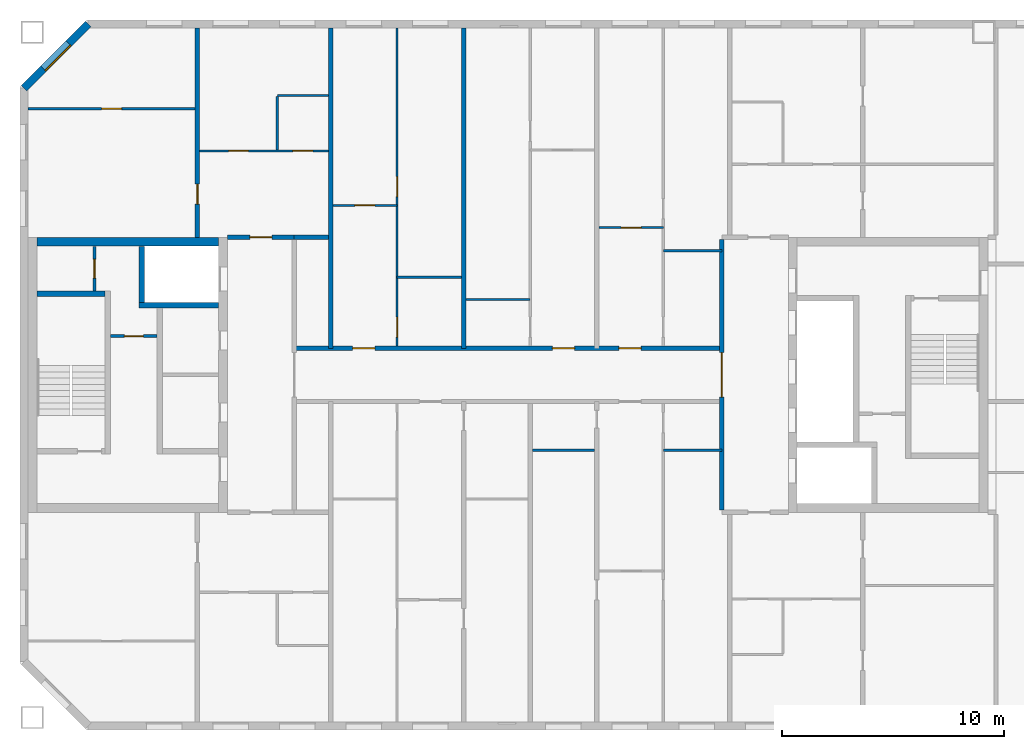
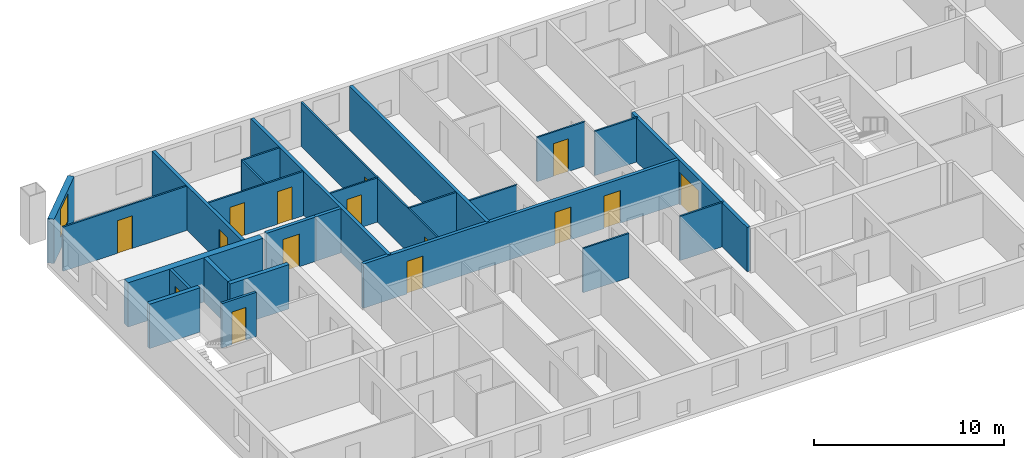
# One storey, part 6 of 19: 26 walls, 15 doors, 1 window, 16 openings.
"""IFC4 building model written with IfcOpenShell, lengths in metres."""

from ifc_helpers import new_model, si_unit, direction, frame, frame_2d, origin, place, context, subcontext, project, spatial, rectangle, extrude, material, layer, layer_set, type_object, element, fill, save


model = new_model("IFC4")

# Units and contexts
model_context = context("Model", 3, precision=1e-05, world=origin(), true_north=direction((0.0, 1.0)))
body_context = subcontext(model_context, "Body", "Model", "MODEL_VIEW")
ifc_project = project(units=[si_unit("LENGTHUNIT", "METRE"), si_unit("AREAUNIT", "SQUARE_METRE"), si_unit("VOLUMEUNIT", "CUBIC_METRE"), si_unit("PLANEANGLEUNIT", "RADIAN"), si_unit("MASSUNIT", "GRAM", prefix="KILO")], contexts=[model_context])

# Site, building, storey
site_placement = place(None, origin())
site = spatial("IfcSite", under=ifc_project, at=site_placement, CompositionType="ELEMENT")
building_placement = place(site_placement, origin())
building = spatial("IfcBuilding", under=site, at=building_placement, Name="Tuart Gate Housing", CompositionType="ELEMENT")
storey_placement = place(building_placement, frame((0.0, 0.0, 233.800048828125)))
storey = spatial("IfcBuildingStorey", under=building, at=storey_placement, Name="L66", CompositionType="ELEMENT", Elevation=233.800048828125)

# Wall, opening, window
ifc_material_1 = material(Name="Brick", Category="masonry")
ifc_layer_1 = layer(ifc_material_1, 0.360107421875)
ifc_layer_set_1 = layer_set([ifc_layer_1], Name="Brick pier and spandrel wall 360")
wall_type_1 = type_object("IfcWallType", Name="Brick pier and spandrel wall 360", PredefinedType="STANDARD", material=ifc_layer_set_1)
wall_1_placement = place(storey_placement, frame((35.07470703125, 85.820068359375, 0.0), z_axis=(0.0, 0.0, 1.0), x_axis=(-0.707106781187, -0.707106781187, 0.0)))
wall_1 = element("IfcWall", 1, at=wall_1_placement, inside=storey, type_object=wall_type_1, Name="External wall BLK-NW L66", PredefinedType="STANDARD", context=body_context, shape_type="SweptSolid", body=[
    extrude(rectangle(XDim=4.09375, YDim=0.360107421875, at=frame_2d((2.046875, 0.0))), origin(), (0.0, 0.0, 1.0), 2.849853515625),
])
opening_1_placement = place(wall_1_placement, frame((1.2470703125, 0.0, 0.800048828125)))
opening_1 = element("IfcOpeningElement", 2, at=opening_1_placement, cuts=wall_1, Name="Opening W1", PredefinedType="OPENING", context=body_context, shape_type="SweptSolid", body=[
    extrude(rectangle(XDim=1.60009765625, YDim=1.800048828125, at=frame_2d((0.800048828125, 0.89990234375))), frame((0.0, 0.18994140625, 0.0), z_axis=(0.0, -1.0, 0.0), x_axis=(1.0, 0.0, 0.0)), (0.0, 0.0, 1.0), 0.380126953125),
])
ifc_material_2 = material(Name="Aluminium frame with clear glass", Category="aluminium")
window_type = type_object("IfcWindowType", Name="Punched window 1600 x 1800", PartitioningType="SINGLE_PANEL", PredefinedType="WINDOW", material=ifc_material_2)
window_placement = place(opening_1_placement, origin())
window = element("IfcWindow", 3, at=window_placement, inside=storey, type_object=window_type, Name="Window W1", OverallHeight=1.800048828125, OverallWidth=1.60009765625, PartitioningType="SINGLE_PANEL", PredefinedType="WINDOW", context=body_context, shape_type="SweptSolid", body=[
    extrude(rectangle(XDim=1.60009765625, YDim=1.800048828125, at=frame_2d((0.800048828125, 0.89990234375))), frame((0.0, 0.150146484375, 0.0), z_axis=(0.0, -1.0, 0.0), x_axis=(1.0, 0.0, 0.0)), (0.0, 0.0, 1.0), 0.06005859375),
])
fill(opening_1, window)

# Wall, opening, door
ifc_material_3 = material(Name="Plasterboard partition")
ifc_layer_2 = layer(ifc_material_3, 0.14990234375)
ifc_layer_set_2 = layer_set([ifc_layer_2], Name="Core partition 150")
wall_type_2 = type_object("IfcWallType", Name="Core partition 150", PredefinedType="PARTITIONING", material=ifc_layer_set_2)
wall_2_placement = place(storey_placement, frame((38.18505859375, 71.75, 0.0), z_axis=(0.0, 0.0, 1.0), x_axis=(-1.0, 0.0, 0.0)))
wall_2 = element("IfcWall", 4, at=wall_2_placement, inside=storey, type_object=wall_type_2, Name="Core partition AK.3", PredefinedType="PARTITIONING", context=body_context, shape_type="SweptSolid", body=[
    extrude(rectangle(XDim=2.10009765625, YDim=0.14990234375, at=frame_2d((1.050048828125, 0.0))), origin(), (0.0, 0.0, 1.0), 2.849853515625),
])
opening_2_placement = place(wall_2_placement, frame((0.625, 0.0, 0.0)))
opening_2 = element("IfcOpeningElement", 5, at=opening_2_placement, cuts=wall_2, Name="Opening D2464", PredefinedType="OPENING", context=body_context, shape_type="SweptSolid", body=[
    extrude(rectangle(XDim=0.85009765625, YDim=2.10009765625, at=frame_2d((0.425048828125, 1.050048828125))), frame((0.0, 0.0849609375, 0.0), z_axis=(0.0, -1.0, 0.0), x_axis=(1.0, 0.0, 0.0)), (0.0, 0.0, 1.0), 0.169921875),
])
ifc_material_4 = material(Name="Steel fire door", Category="steel")
door_type_1 = type_object("IfcDoorType", Name="Riser door 850 x 2100 RH", OperationType="SINGLE_SWING_RIGHT", PredefinedType="DOOR", material=ifc_material_4)
door_1_placement = place(opening_2_placement, frame((0.85009765625, 0.0, 0.0), z_axis=(0.0, 0.0, 1.0), x_axis=(-1.0, 0.0, 0.0)))
door_1 = element("IfcDoor", 6, at=door_1_placement, inside=storey, type_object=door_type_1, Name="Service room door AK.E1", OperationType="SINGLE_SWING_RIGHT", OverallHeight=2.10009765625, OverallWidth=0.85009765625, PredefinedType="DOOR", context=body_context, shape_type="SweptSolid", body=[
    extrude(rectangle(XDim=0.85009765625, YDim=2.10009765625, at=frame_2d((0.425048828125, 1.050048828125))), frame((0.0, 0.025146484375, 0.0), z_axis=(0.0, -1.0, 0.0), x_axis=(1.0, 0.0, 0.0)), (0.0, 0.0, 1.0), 0.050048828125),
])
fill(opening_2, door_1)

wall_3_placement = place(storey_placement, frame((35.360107421875, 75.800048828125, 0.0), z_axis=(0.0, 0.0, 1.0), x_axis=(0.0, -1.0, 0.0)))
wall_3 = element("IfcWall", 7, at=wall_3_placement, inside=storey, type_object=wall_type_2, Name="Core partition AK.10", PredefinedType="PARTITIONING", context=body_context, shape_type="SweptSolid", body=[
    extrude(rectangle(XDim=2.025146484375, YDim=0.14990234375, at=frame_2d((1.0126953125, 0.0))), origin(), (0.0, 0.0, 1.0), 2.849853515625),
])
opening_3_placement = place(wall_3_placement, frame((0.58740234375, 0.0, 0.0)))
opening_3 = element("IfcOpeningElement", 8, at=opening_3_placement, cuts=wall_3, Name="Opening D2462", PredefinedType="OPENING", context=body_context, shape_type="SweptSolid", body=[
    extrude(rectangle(XDim=0.85009765625, YDim=2.10009765625, at=frame_2d((0.425048828125, 1.050048828125))), frame((0.0, 0.0849609375, 0.0), z_axis=(0.0, -1.0, 0.0), x_axis=(1.0, 0.0, 0.0)), (0.0, 0.0, 1.0), 0.169921875),
])
ifc_material_5 = material(Name="Steel fire door", Category="steel")
door_type_2 = type_object("IfcDoorType", Name="Service door 850 x 2100", OperationType="SINGLE_SWING_LEFT", PredefinedType="DOOR", material=ifc_material_5)
door_2_placement = place(opening_3_placement, origin())
door_2 = element("IfcDoor", 9, at=door_2_placement, inside=storey, type_object=door_type_2, Name="Service room door AK.E2", OperationType="SINGLE_SWING_LEFT", OverallHeight=2.10009765625, OverallWidth=0.85009765625, PredefinedType="DOOR", context=body_context, shape_type="SweptSolid", body=[
    extrude(rectangle(XDim=0.85009765625, YDim=2.10009765625, at=frame_2d((0.425048828125, 1.050048828125))), frame((0.0, 0.02490234375, 0.0), z_axis=(0.0, -1.0, 0.0), x_axis=(1.0, 0.0, 0.0)), (0.0, 0.0, 1.0), 0.050048828125),
])
fill(opening_3, door_2)

# Walls
ifc_material_6 = material(Name="Concrete C40", Category="concrete")
ifc_layer_3 = layer(ifc_material_6, 0.25)
ifc_layer_set_3 = layer_set([ifc_layer_3], Name="Core wall 250 C40")
wall_type_3 = type_object("IfcWallType", Name="Core wall 250 C40", PredefinedType="SHEAR", material=ifc_layer_set_3)
wall_4_placement = place(storey_placement, frame((35.8349609375, 73.64990234375, 0.0), z_axis=(0.0, 0.0, 1.0), x_axis=(-1.0, 0.0, 0.0)))
element("IfcWall", 10, at=wall_4_placement, inside=storey, type_object=wall_type_3, Name="Core wall AK.1", PredefinedType="SHEAR", context=body_context, shape_type="SweptSolid", body=[
    extrude(rectangle(XDim=3.074951171875, YDim=0.25, at=frame_2d((1.53759765625, 0.0))), origin(), (0.0, 0.0, 1.0), 2.849853515625),
])
wall_5_placement = place(storey_placement, frame((40.9599609375, 73.14990234375, 0.0), z_axis=(0.0, 0.0, 1.0), x_axis=(-1.0, 0.0, 0.0)))
element("IfcWall", 11, at=wall_5_placement, inside=storey, type_object=wall_type_3, Name="Core wall AK.2", PredefinedType="SHEAR", context=body_context, shape_type="SweptSolid", body=[
    extrude(rectangle(XDim=3.594970703125, YDim=0.25, at=frame_2d((1.79736328125, 0.0))), origin(), (0.0, 0.0, 1.0), 2.849853515625),
])
wall_6_placement = place(storey_placement, frame((37.489990234375, 75.800048828125, 0.0), z_axis=(0.0, 0.0, 1.0), x_axis=(0.0, -1.0, 0.0)))
element("IfcWall", 12, at=wall_6_placement, inside=storey, type_object=wall_type_3, Name="Core wall AK.8", PredefinedType="SHEAR", context=body_context, shape_type="SweptSolid", body=[
    extrude(rectangle(XDim=2.525146484375, YDim=0.25, at=frame_2d((1.2626953125, 0.0))), origin(), (0.0, 0.0, 1.0), 2.849853515625),
])
ifc_material_7 = material(Name="Concrete C40", Category="concrete")
ifc_layer_4 = layer(ifc_material_7, 0.39990234375)
ifc_layer_set_4 = layer_set([ifc_layer_4], Name="Core wall 400 C40")
wall_type_4 = type_object("IfcWallType", Name="Core wall 400 C40", PredefinedType="SHEAR", material=ifc_layer_set_4)
wall_7_placement = place(storey_placement, frame((40.9599609375, 76.0, 0.0), z_axis=(0.0, 0.0, 1.0), x_axis=(-1.0, 0.0, 0.0)))
element("IfcWall", 13, at=wall_7_placement, inside=storey, type_object=wall_type_4, Name="Core wall AK south", PredefinedType="SHEAR", context=body_context, shape_type="SweptSolid", body=[
    extrude(rectangle(XDim=8.199951171875, YDim=0.39990234375, at=frame_2d((4.10009765625, 0.0))), origin(), (0.0, 0.0, 1.0), 2.849853515625),
])

# Wall, openings, doors
ifc_material_8 = material(Name="Concrete masonry 15 MPa", Category="masonry")
ifc_layer_5 = layer(ifc_material_8, 0.199951171875)
ifc_layer_set_5 = layer_set([ifc_layer_5], Name="Corridor wall masonry 200")
wall_type_5 = type_object("IfcWallType", Name="Corridor wall masonry 200", PredefinedType="PARTITIONING", material=ifc_layer_set_5)
wall_8_placement = place(storey_placement, frame((44.360107421875, 71.199951171875, 0.0), z_axis=(0.0, 0.0, 1.0), x_axis=(1.0, 0.0, 0.0)))
wall_8 = element("IfcWall", 14, at=wall_8_placement, inside=storey, type_object=wall_type_5, Name="Corridor wall masonry 200", PredefinedType="PARTITIONING", context=body_context, shape_type="SweptSolid", body=[
    extrude(rectangle(XDim=19.27978515625, YDim=0.199951171875, at=frame_2d((9.639892578125, 0.0))), origin(), (0.0, 0.0, 1.0), 2.849853515625),
])
opening_4_placement = place(wall_8_placement, frame((14.639892578125, 0.0, 0.0)))
opening_4 = element("IfcOpeningElement", 15, at=opening_4_placement, cuts=wall_8, Name="Opening D2465", PredefinedType="OPENING", context=body_context, shape_type="SweptSolid", body=[
    extrude(rectangle(XDim=1.0, YDim=2.10009765625, at=frame_2d((0.5, 1.050048828125))), frame((0.0, 0.10986328125, 0.0), z_axis=(0.0, -1.0, 0.0), x_axis=(1.0, 0.0, 0.0)), (0.0, 0.0, 1.0), 0.219970703125),
])
opening_5_placement = place(wall_8_placement, frame((11.639892578125, 0.0, 0.0)))
opening_5 = element("IfcOpeningElement", 16, at=opening_5_placement, cuts=wall_8, Name="Opening D2466", PredefinedType="OPENING", context=body_context, shape_type="SweptSolid", body=[
    extrude(rectangle(XDim=1.0, YDim=2.10009765625, at=frame_2d((0.5, 1.050048828125))), frame((0.0, 0.10986328125, 0.0), z_axis=(0.0, -1.0, 0.0), x_axis=(1.0, 0.0, 0.0)), (0.0, 0.0, 1.0), 0.219970703125),
])
opening_6_placement = place(wall_8_placement, frame((2.639892578125, 0.0, 0.0)))
opening_6 = element("IfcOpeningElement", 17, at=opening_6_placement, cuts=wall_8, Name="Opening D2467", PredefinedType="OPENING", context=body_context, shape_type="SweptSolid", body=[
    extrude(rectangle(XDim=1.0, YDim=2.10009765625, at=frame_2d((0.5, 1.050048828125))), frame((0.0, 0.10986328125, 0.0), z_axis=(0.0, -1.0, 0.0), x_axis=(1.0, 0.0, 0.0)), (0.0, 0.0, 1.0), 0.219970703125),
])
ifc_material_9 = material(Name="Timber door leaf in steel frame", Category="steel")
door_type_3 = type_object("IfcDoorType", Name="Flat entrance door 1000", OperationType="SINGLE_SWING_LEFT", PredefinedType="DOOR", material=ifc_material_9)
door_3_placement = place(opening_4_placement, origin())
door_3 = element("IfcDoor", 18, at=door_3_placement, inside=storey, type_object=door_type_3, Name="Flat entrance door", OperationType="SINGLE_SWING_LEFT", OverallHeight=2.10009765625, OverallWidth=1.0, PredefinedType="DOOR", context=body_context, shape_type="SweptSolid", body=[
    extrude(rectangle(XDim=1.0, YDim=2.10009765625, at=frame_2d((0.5, 1.050048828125))), frame((0.0, 0.02490234375, 0.0), z_axis=(0.0, -1.0, 0.0), x_axis=(1.0, 0.0, 0.0)), (0.0, 0.0, 1.0), 0.050048828125),
])
fill(opening_4, door_3)
door_4_placement = place(opening_5_placement, origin())
door_4 = element("IfcDoor", 19, at=door_4_placement, inside=storey, type_object=door_type_3, Name="Flat entrance door", OperationType="SINGLE_SWING_LEFT", OverallHeight=2.10009765625, OverallWidth=1.0, PredefinedType="DOOR", context=body_context, shape_type="SweptSolid", body=[
    extrude(rectangle(XDim=1.0, YDim=2.10009765625, at=frame_2d((0.5, 1.050048828125))), frame((0.0, 0.02490234375, 0.0), z_axis=(0.0, -1.0, 0.0), x_axis=(1.0, 0.0, 0.0)), (0.0, 0.0, 1.0), 0.050048828125),
])
fill(opening_5, door_4)
door_5_placement = place(opening_6_placement, origin())
door_5 = element("IfcDoor", 20, at=door_5_placement, inside=storey, type_object=door_type_3, Name="Flat entrance door", OperationType="SINGLE_SWING_LEFT", OverallHeight=2.10009765625, OverallWidth=1.0, PredefinedType="DOOR", context=body_context, shape_type="SweptSolid", body=[
    extrude(rectangle(XDim=1.0, YDim=2.10009765625, at=frame_2d((0.5, 1.050048828125))), frame((0.0, 0.02490234375, 0.0), z_axis=(0.0, -1.0, 0.0), x_axis=(1.0, 0.0, 0.0)), (0.0, 0.0, 1.0), 0.050048828125),
])
fill(opening_6, door_5)

# Wall, opening, door
ifc_material_10 = material(Name="Concrete masonry 15 MPa", Category="masonry")
ifc_layer_6 = layer(ifc_material_10, 0.199951171875)
ifc_layer_set_6 = layer_set([ifc_layer_6], Name="Enclosure wall masonry 200")
wall_type_6 = type_object("IfcWallType", Name="Enclosure wall masonry 200", PredefinedType="PARTITIONING", material=ifc_layer_set_6)
wall_9_placement = place(storey_placement, frame((41.360107421875, 76.199951171875, 0.0), z_axis=(0.0, 0.0, 1.0), x_axis=(1.0, 0.0, 0.0)))
wall_9 = element("IfcWall", 21, at=wall_9_placement, inside=storey, type_object=wall_type_6, Name="Enclosure wall masonry 200", PredefinedType="PARTITIONING", context=body_context, shape_type="SweptSolid", body=[
    extrude(rectangle(XDim=3.0, YDim=0.199951171875, at=frame_2d((1.5, 0.0))), origin(), (0.0, 0.0, 1.0), 2.849853515625),
])
opening_7_placement = place(wall_9_placement, frame((1.0, 0.0, 0.0)))
opening_7 = element("IfcOpeningElement", 22, at=opening_7_placement, cuts=wall_9, Name="Opening D2460", PredefinedType="OPENING", context=body_context, shape_type="SweptSolid", body=[
    extrude(rectangle(XDim=1.0, YDim=2.10009765625, at=frame_2d((0.5, 1.050048828125))), frame((0.0, 0.10986328125, 0.0), z_axis=(0.0, -1.0, 0.0), x_axis=(1.0, 0.0, 0.0)), (0.0, 0.0, 1.0), 0.219970703125),
])
door_6_placement = place(opening_7_placement, origin())
door_6 = element("IfcDoor", 23, at=door_6_placement, inside=storey, type_object=door_type_3, Name="Flat entrance door", OperationType="SINGLE_SWING_LEFT", OverallHeight=2.10009765625, OverallWidth=1.0, PredefinedType="DOOR", context=body_context, shape_type="SweptSolid", body=[
    extrude(rectangle(XDim=1.0, YDim=2.10009765625, at=frame_2d((0.5, 1.050048828125))), frame((0.0, 0.02490234375, 0.0), z_axis=(0.0, -1.0, 0.0), x_axis=(1.0, 0.0, 0.0)), (0.0, 0.0, 1.0), 0.050048828125),
])
fill(opening_7, door_6)

ifc_material_11 = material(Name="Plasterboard partition")
ifc_layer_7 = layer(ifc_material_11, 0.199951171875)
ifc_layer_set_7 = layer_set([ifc_layer_7], Name="Lobby wall 200")
wall_type_7 = type_object("IfcWallType", Name="Lobby wall 200", PredefinedType="PARTITIONING", material=ifc_layer_set_7)
wall_10_placement = place(storey_placement, frame((63.639892578125, 63.89990234375, 0.0), z_axis=(0.0, 0.0, 1.0), x_axis=(0.0, 1.0, 0.0)))
wall_10 = element("IfcWall", 24, at=wall_10_placement, inside=storey, type_object=wall_type_7, Name="Lift lobby wall AG", PredefinedType="PARTITIONING", context=body_context, shape_type="SweptSolid", body=[
    extrude(rectangle(XDim=12.2001953125, YDim=0.199951171875, at=frame_2d((6.10009765625, 0.0))), origin(), (0.0, 0.0, 1.0), 2.849853515625),
])
opening_8_placement = place(wall_10_placement, frame((5.10009765625, 0.0, 0.0)))
opening_8 = element("IfcOpeningElement", 25, at=opening_8_placement, cuts=wall_10, Name="Opening D2472", PredefinedType="OPENING", context=body_context, shape_type="SweptSolid", body=[
    extrude(rectangle(XDim=2.0, YDim=2.10009765625, at=frame_2d((1.0, 1.050048828125))), frame((0.0, 0.10986328125, 0.0), z_axis=(0.0, -1.0, 0.0), x_axis=(1.0, 0.0, 0.0)), (0.0, 0.0, 1.0), 0.219970703125),
])
ifc_material_12 = material(Name="Steel fire door", Category="steel")
door_type_4 = type_object("IfcDoorType", Name="Smoke door 2000 x 2100", OperationType="DOUBLE_DOOR_SINGLE_SWING", PredefinedType="DOOR", material=ifc_material_12)
door_7_placement = place(opening_8_placement, frame((2.0, 0.0, 0.0), z_axis=(0.0, 0.0, 1.0), x_axis=(-1.0, 0.0, 0.0)))
door_7 = element("IfcDoor", 26, at=door_7_placement, inside=storey, type_object=door_type_4, Name="Lift lobby smoke door AG", OperationType="DOUBLE_DOOR_SINGLE_SWING", OverallHeight=2.10009765625, OverallWidth=2.0, PredefinedType="DOOR", context=body_context, shape_type="SweptSolid", body=[
    extrude(rectangle(XDim=2.0, YDim=2.10009765625, at=frame_2d((1.0, 1.050048828125))), frame((0.0, 0.025146484375, 0.0), z_axis=(0.0, -1.0, 0.0), x_axis=(1.0, 0.0, 0.0)), (0.0, 0.0, 1.0), 0.050048828125),
])
fill(opening_8, door_7)

# Walls
ifc_material_13 = material(Name="Gypsum board on steel studs", Category="steel")
ifc_layer_8 = layer(ifc_material_13, 0.10009765625)
ifc_layer_set_8 = layer_set([ifc_layer_8], Name="Partition 100")
wall_type_8 = type_object("IfcWallType", Name="Partition 100", PredefinedType="PARTITIONING", material=ifc_layer_set_8)
wall_11_placement = place(storey_placement, frame((55.10009765625, 66.60009765625, 0.0), z_axis=(0.0, 0.0, 1.0), x_axis=(1.0, 0.0, 0.0)))
element("IfcWall", 27, at=wall_11_placement, inside=storey, type_object=wall_type_8, Name="Partition 100", PredefinedType="PARTITIONING", context=body_context, shape_type="SweptSolid", body=[
    extrude(rectangle(XDim=2.7998046875, YDim=0.10009765625, at=frame_2d((1.39990234375, 0.0))), origin(), (0.0, 0.0, 1.0), 2.849853515625),
])
wall_12_placement = place(storey_placement, frame((61.0, 66.60009765625, 0.0), z_axis=(0.0, 0.0, 1.0), x_axis=(1.0, 0.0, 0.0)))
element("IfcWall", 28, at=wall_12_placement, inside=storey, type_object=wall_type_8, Name="Partition 100", PredefinedType="PARTITIONING", context=body_context, shape_type="SweptSolid", body=[
    extrude(rectangle(XDim=2.639892578125, YDim=0.10009765625, at=frame_2d((1.31982421875, 0.0))), origin(), (0.0, 0.0, 1.0), 2.849853515625),
])
for number, where, z_axis, x_axis, name in (
    (29, (52.10009765625, 73.39990234375, 0.0), (0.0, 0.0, 1.0), (1.0, 0.0, 0.0), "Partition 100"),
    (30, (49.0, 74.39990234375, 0.0), (0.0, 0.0, 1.0), (1.0, 0.0, 0.0), "Partition 100"),
):
    element("IfcWall", number, at=place(storey_placement, frame(where, z_axis=z_axis, x_axis=x_axis)), inside=storey, type_object=wall_type_8, Name=name, PredefinedType="PARTITIONING", context=body_context, shape_type="SweptSolid", body=[
        extrude(rectangle(XDim=2.89990234375, YDim=0.10009765625, at=frame_2d((1.449951171875, 0.0))), origin(), (0.0, 0.0, 1.0), 2.849853515625),
    ])
wall_13_placement = place(storey_placement, frame((61.0, 75.60009765625, 0.0), z_axis=(0.0, 0.0, 1.0), x_axis=(1.0, 0.0, 0.0)))
element("IfcWall", 31, at=wall_13_placement, inside=storey, type_object=wall_type_8, Name="Partition 100", PredefinedType="PARTITIONING", context=body_context, shape_type="SweptSolid", body=[
    extrude(rectangle(XDim=2.639892578125, YDim=0.10009765625, at=frame_2d((1.31982421875, 0.0))), origin(), (0.0, 0.0, 1.0), 2.849853515625),
])

# Wall, opening, door
wall_14_placement = place(storey_placement, frame((58.10009765625, 76.639892578125, 0.0), z_axis=(0.0, 0.0, 1.0), x_axis=(1.0, 0.0, 0.0)))
wall_14 = element("IfcWall", 32, at=wall_14_placement, inside=storey, type_object=wall_type_8, Name="Partition 100", PredefinedType="PARTITIONING", context=body_context, shape_type="SweptSolid", body=[
    extrude(rectangle(XDim=2.89990234375, YDim=0.10009765625, at=frame_2d((1.449951171875, 0.0))), origin(), (0.0, 0.0, 1.0), 2.849853515625),
])
opening_9_placement = place(wall_14_placement, frame((1.0, 0.0, 0.0)))
opening_9 = element("IfcOpeningElement", 33, at=opening_9_placement, cuts=wall_14, Name="Opening D2459", PredefinedType="OPENING", context=body_context, shape_type="SweptSolid", body=[
    extrude(rectangle(XDim=0.89990234375, YDim=2.10009765625, at=frame_2d((0.449951171875, 1.050048828125))), frame((0.0, 0.06005859375, 0.0), z_axis=(0.0, -1.0, 0.0), x_axis=(1.0, 0.0, 0.0)), (0.0, 0.0, 1.0), 0.1201171875),
])
ifc_material_14 = material(Name="Timber door leaf in steel frame", Category="steel")
door_type_5 = type_object("IfcDoorType", Name="Internal door 900", OperationType="SINGLE_SWING_LEFT", PredefinedType="DOOR", material=ifc_material_14)
door_8_placement = place(opening_9_placement, frame((0.89990234375, 0.0, 0.0), z_axis=(0.0, 0.0, 1.0), x_axis=(-1.0, 0.0, 0.0)))
door_8 = element("IfcDoor", 34, at=door_8_placement, inside=storey, type_object=door_type_5, Name="Internal door", OperationType="SINGLE_SWING_LEFT", OverallHeight=2.10009765625, OverallWidth=0.89990234375, PredefinedType="DOOR", context=body_context, shape_type="SweptSolid", body=[
    extrude(rectangle(XDim=0.89990234375, YDim=2.10009765625, at=frame_2d((0.449951171875, 1.050048828125))), frame((0.0, 0.025146484375, 0.0), z_axis=(0.0, -1.0, 0.0), x_axis=(1.0, 0.0, 0.0)), (0.0, 0.0, 1.0), 0.050048828125),
])
fill(opening_9, door_8)

wall_15_placement = place(storey_placement, frame((46.10009765625, 77.639892578125, 0.0), z_axis=(0.0, 0.0, 1.0), x_axis=(1.0, 0.0, 0.0)))
wall_15 = element("IfcWall", 35, at=wall_15_placement, inside=storey, type_object=wall_type_8, Name="Partition 100", PredefinedType="PARTITIONING", context=body_context, shape_type="SweptSolid", body=[
    extrude(rectangle(XDim=2.89990234375, YDim=0.10009765625, at=frame_2d((1.449951171875, 0.0))), origin(), (0.0, 0.0, 1.0), 2.849853515625),
])
opening_10_placement = place(wall_15_placement, frame((1.0, 0.0, 0.0)))
opening_10 = element("IfcOpeningElement", 36, at=opening_10_placement, cuts=wall_15, Name="Opening D2458", PredefinedType="OPENING", context=body_context, shape_type="SweptSolid", body=[
    extrude(rectangle(XDim=0.89990234375, YDim=2.10009765625, at=frame_2d((0.449951171875, 1.050048828125))), frame((0.0, 0.06005859375, 0.0), z_axis=(0.0, -1.0, 0.0), x_axis=(1.0, 0.0, 0.0)), (0.0, 0.0, 1.0), 0.1201171875),
])
door_9_placement = place(opening_10_placement, frame((0.89990234375, 0.0, 0.0), z_axis=(0.0, 0.0, 1.0), x_axis=(-1.0, 0.0, 0.0)))
door_9 = element("IfcDoor", 37, at=door_9_placement, inside=storey, type_object=door_type_5, Name="Internal door", OperationType="SINGLE_SWING_LEFT", OverallHeight=2.10009765625, OverallWidth=0.89990234375, PredefinedType="DOOR", context=body_context, shape_type="SweptSolid", body=[
    extrude(rectangle(XDim=0.89990234375, YDim=2.10009765625, at=frame_2d((0.449951171875, 1.050048828125))), frame((0.0, 0.025146484375, 0.0), z_axis=(0.0, -1.0, 0.0), x_axis=(1.0, 0.0, 0.0)), (0.0, 0.0, 1.0), 0.050048828125),
])
fill(opening_10, door_9)

# Wall, openings, doors
wall_16_placement = place(storey_placement, frame((40.10009765625, 80.10009765625, 0.0), z_axis=(0.0, 0.0, 1.0), x_axis=(1.0, 0.0, 0.0)))
wall_16 = element("IfcWall", 38, at=wall_16_placement, inside=storey, type_object=wall_type_8, Name="Partition 100", PredefinedType="PARTITIONING", context=body_context, shape_type="SweptSolid", body=[
    extrude(rectangle(XDim=5.7998046875, YDim=0.10009765625, at=frame_2d((2.89990234375, 0.0))), origin(), (0.0, 0.0, 1.0), 2.849853515625),
])
opening_11_placement = place(wall_16_placement, frame((1.300048828125, 0.0, 0.0)))
opening_11 = element("IfcOpeningElement", 39, at=opening_11_placement, cuts=wall_16, Name="Opening D2449", PredefinedType="OPENING", context=body_context, shape_type="SweptSolid", body=[
    extrude(rectangle(XDim=0.89990234375, YDim=2.10009765625, at=frame_2d((0.449951171875, 1.050048828125))), frame((0.0, 0.06005859375, 0.0), z_axis=(0.0, -1.0, 0.0), x_axis=(1.0, 0.0, 0.0)), (0.0, 0.0, 1.0), 0.1201171875),
])
opening_12_placement = place(wall_16_placement, frame((4.199951171875, 0.0, 0.0)))
opening_12 = element("IfcOpeningElement", 40, at=opening_12_placement, cuts=wall_16, Name="Opening D2448", PredefinedType="OPENING", context=body_context, shape_type="SweptSolid", body=[
    extrude(rectangle(XDim=0.89990234375, YDim=2.10009765625, at=frame_2d((0.449951171875, 1.050048828125))), frame((0.0, 0.06005859375, 0.0), z_axis=(0.0, -1.0, 0.0), x_axis=(1.0, 0.0, 0.0)), (0.0, 0.0, 1.0), 0.1201171875),
])
ifc_material_15 = material(Name="Timber door leaf in steel frame", Category="steel")
door_type_6 = type_object("IfcDoorType", Name="Bathroom door 900", OperationType="SINGLE_SWING_LEFT", PredefinedType="DOOR", material=ifc_material_15)
door_10_placement = place(opening_12_placement, origin())
door_10 = element("IfcDoor", 41, at=door_10_placement, inside=storey, type_object=door_type_6, Name="Bathroom door", OperationType="SINGLE_SWING_LEFT", OverallHeight=2.10009765625, OverallWidth=0.89990234375, PredefinedType="DOOR", context=body_context, shape_type="SweptSolid", body=[
    extrude(rectangle(XDim=0.89990234375, YDim=2.10009765625, at=frame_2d((0.449951171875, 1.050048828125))), frame((0.0, 0.02490234375, 0.0), z_axis=(0.0, -1.0, 0.0), x_axis=(1.0, 0.0, 0.0)), (0.0, 0.0, 1.0), 0.050048828125),
])
fill(opening_12, door_10)
ifc_material_16 = material(Name="Timber door leaf in steel frame", Category="steel")
door_type_7 = type_object("IfcDoorType", Name="Internal door 900 RH", OperationType="SINGLE_SWING_RIGHT", PredefinedType="DOOR", material=ifc_material_16)
door_11_placement = place(opening_11_placement, origin())
door_11 = element("IfcDoor", 42, at=door_11_placement, inside=storey, type_object=door_type_7, Name="Internal door", OperationType="SINGLE_SWING_RIGHT", OverallHeight=2.10009765625, OverallWidth=0.89990234375, PredefinedType="DOOR", context=body_context, shape_type="SweptSolid", body=[
    extrude(rectangle(XDim=0.89990234375, YDim=2.10009765625, at=frame_2d((0.449951171875, 1.050048828125))), frame((0.0, 0.02490234375, 0.0), z_axis=(0.0, -1.0, 0.0), x_axis=(1.0, 0.0, 0.0)), (0.0, 0.0, 1.0), 0.050048828125),
])
fill(opening_11, door_11)

# Wall, opening, door
wall_17_placement = place(storey_placement, frame((32.360107421875, 82.0, 0.0), z_axis=(0.0, 0.0, 1.0), x_axis=(1.0, 0.0, 0.0)))
wall_17 = element("IfcWall", 43, at=wall_17_placement, inside=storey, type_object=wall_type_8, Name="Partition 100", PredefinedType="PARTITIONING", context=body_context, shape_type="SweptSolid", body=[
    extrude(rectangle(XDim=7.539794921875, YDim=0.10009765625, at=frame_2d((3.77001953125, 0.0))), origin(), (0.0, 0.0, 1.0), 2.849853515625),
])
opening_13_placement = place(wall_17_placement, frame((3.320068359375, 0.0, 0.0)))
opening_13 = element("IfcOpeningElement", 44, at=opening_13_placement, cuts=wall_17, Name="Opening D2443", PredefinedType="OPENING", context=body_context, shape_type="SweptSolid", body=[
    extrude(rectangle(XDim=0.89990234375, YDim=2.10009765625, at=frame_2d((0.449951171875, 1.050048828125))), frame((0.0, 0.06005859375, 0.0), z_axis=(0.0, -1.0, 0.0), x_axis=(1.0, 0.0, 0.0)), (0.0, 0.0, 1.0), 0.1201171875),
])
door_12_placement = place(opening_13_placement, origin())
door_12 = element("IfcDoor", 45, at=door_12_placement, inside=storey, type_object=door_type_5, Name="Internal door", OperationType="SINGLE_SWING_LEFT", OverallHeight=2.10009765625, OverallWidth=0.89990234375, PredefinedType="DOOR", context=body_context, shape_type="SweptSolid", body=[
    extrude(rectangle(XDim=0.89990234375, YDim=2.10009765625, at=frame_2d((0.449951171875, 1.050048828125))), frame((0.0, 0.02490234375, 0.0), z_axis=(0.0, -1.0, 0.0), x_axis=(1.0, 0.0, 0.0)), (0.0, 0.0, 1.0), 0.050048828125),
])
fill(opening_13, door_12)

# Walls
wall_18_placement = place(storey_placement, frame((43.60009765625, 82.60009765625, 0.0), z_axis=(0.0, 0.0, 1.0), x_axis=(1.0, 0.0, 0.0)))
element("IfcWall", 46, at=wall_18_placement, inside=storey, type_object=wall_type_8, Name="Partition 100", PredefinedType="PARTITIONING", context=body_context, shape_type="SweptSolid", body=[
    extrude(rectangle(XDim=2.2998046875, YDim=0.10009765625, at=frame_2d((1.14990234375, 0.0))), origin(), (0.0, 0.0, 1.0), 2.849853515625),
])
wall_19_placement = place(storey_placement, frame((43.60009765625, 80.14990234375, 0.0), z_axis=(0.0, 0.0, 1.0), x_axis=(0.0, 1.0, 0.0)))
element("IfcWall", 47, at=wall_19_placement, inside=storey, type_object=wall_type_8, Name="Partition 100", PredefinedType="PARTITIONING", context=body_context, shape_type="SweptSolid", body=[
    extrude(rectangle(XDim=2.400146484375, YDim=0.10009765625, at=frame_2d((1.2001953125, 0.0))), origin(), (0.0, 0.0, 1.0), 2.849853515625),
])

# Wall, openings, doors
wall_20_placement = place(storey_placement, frame((49.0, 71.300048828125, 0.0), z_axis=(0.0, 0.0, 1.0), x_axis=(0.0, 1.0, 0.0)))
wall_20 = element("IfcWall", 48, at=wall_20_placement, inside=storey, type_object=wall_type_8, Name="Partition 100", PredefinedType="PARTITIONING", context=body_context, shape_type="SweptSolid", body=[
    extrude(rectangle(XDim=14.33984375, YDim=0.10009765625, at=frame_2d((7.169921875, 0.0))), origin(), (0.0, 0.0, 1.0), 2.849853515625),
])
opening_14_placement = place(wall_20_placement, frame((6.739990234375, 0.0, 0.0)))
opening_14 = element("IfcOpeningElement", 49, at=opening_14_placement, cuts=wall_20, Name="Opening D2453", PredefinedType="OPENING", context=body_context, shape_type="SweptSolid", body=[
    extrude(rectangle(XDim=0.89990234375, YDim=2.10009765625, at=frame_2d((0.449951171875, 1.050048828125))), frame((0.0, 0.06005859375, 0.0), z_axis=(0.0, -1.0, 0.0), x_axis=(1.0, 0.0, 0.0)), (0.0, 0.0, 1.0), 0.1201171875),
])
opening_15_placement = place(wall_20_placement, frame((0.39990234375, 0.0, 0.0)))
opening_15 = element("IfcOpeningElement", 50, at=opening_15_placement, cuts=wall_20, Name="Opening D2452", PredefinedType="OPENING", context=body_context, shape_type="SweptSolid", body=[
    extrude(rectangle(XDim=0.89990234375, YDim=2.10009765625, at=frame_2d((0.449951171875, 1.050048828125))), frame((0.0, 0.06005859375, 0.0), z_axis=(0.0, -1.0, 0.0), x_axis=(1.0, 0.0, 0.0)), (0.0, 0.0, 1.0), 0.1201171875),
])
ifc_material_17 = material(Name="Timber door leaf in steel frame", Category="steel")
door_type_8 = type_object("IfcDoorType", Name="Bathroom door 900 RH", OperationType="SINGLE_SWING_RIGHT", PredefinedType="DOOR", material=ifc_material_17)
door_13_placement = place(opening_15_placement, frame((0.89990234375, 0.0, 0.0), z_axis=(0.0, 0.0, 1.0), x_axis=(-1.0, 0.0, 0.0)))
door_13 = element("IfcDoor", 51, at=door_13_placement, inside=storey, type_object=door_type_8, Name="Bathroom door", OperationType="SINGLE_SWING_RIGHT", OverallHeight=2.10009765625, OverallWidth=0.89990234375, PredefinedType="DOOR", context=body_context, shape_type="SweptSolid", body=[
    extrude(rectangle(XDim=0.89990234375, YDim=2.10009765625, at=frame_2d((0.449951171875, 1.050048828125))), frame((0.0, 0.025146484375, 0.0), z_axis=(0.0, -1.0, 0.0), x_axis=(1.0, 0.0, 0.0)), (0.0, 0.0, 1.0), 0.050048828125),
])
fill(opening_15, door_13)
door_14_placement = place(opening_14_placement, frame((0.89990234375, 0.0, 0.0), z_axis=(0.0, 0.0, 1.0), x_axis=(-1.0, 0.0, 0.0)))
door_14 = element("IfcDoor", 52, at=door_14_placement, inside=storey, type_object=door_type_7, Name="Internal door", OperationType="SINGLE_SWING_RIGHT", OverallHeight=2.10009765625, OverallWidth=0.89990234375, PredefinedType="DOOR", context=body_context, shape_type="SweptSolid", body=[
    extrude(rectangle(XDim=0.89990234375, YDim=2.10009765625, at=frame_2d((0.449951171875, 1.050048828125))), frame((0.0, 0.025146484375, 0.0), z_axis=(0.0, -1.0, 0.0), x_axis=(1.0, 0.0, 0.0)), (0.0, 0.0, 1.0), 0.050048828125),
])
fill(opening_14, door_14)

# Wall, opening, door
ifc_material_18 = material(Name="Concrete C40", Category="concrete")
ifc_layer_9 = layer(ifc_material_18, 0.199951171875)
ifc_layer_set_9 = layer_set([ifc_layer_9], Name="Party wall concrete C40 200")
wall_type_9 = type_object("IfcWallType", Name="Party wall concrete C40 200", PredefinedType="SOLIDWALL", material=ifc_layer_set_9)
wall_21_placement = place(storey_placement, frame((40.0, 76.199951171875, 0.0), z_axis=(0.0, 0.0, 1.0), x_axis=(0.0, 1.0, 0.0)))
wall_21 = element("IfcWall", 53, at=wall_21_placement, inside=storey, type_object=wall_type_9, Name="Party wall concrete C40 200", PredefinedType="SOLIDWALL", context=body_context, shape_type="SweptSolid", body=[
    extrude(rectangle(XDim=9.43994140625, YDim=0.199951171875, at=frame_2d((4.719970703125, 0.0))), origin(), (0.0, 0.0, 1.0), 2.849853515625),
])
opening_16_placement = place(wall_21_placement, frame((1.5, 0.0, 0.0)))
opening_16 = element("IfcOpeningElement", 54, at=opening_16_placement, cuts=wall_21, Name="Opening D2444", PredefinedType="OPENING", context=body_context, shape_type="SweptSolid", body=[
    extrude(rectangle(XDim=0.89990234375, YDim=2.10009765625, at=frame_2d((0.449951171875, 1.050048828125))), frame((0.0, 0.10986328125, 0.0), z_axis=(0.0, -1.0, 0.0), x_axis=(1.0, 0.0, 0.0)), (0.0, 0.0, 1.0), 0.219970703125),
])
door_15_placement = place(opening_16_placement, frame((0.89990234375, 0.0, 0.0), z_axis=(0.0, 0.0, 1.0), x_axis=(-1.0, 0.0, 0.0)))
door_15 = element("IfcDoor", 55, at=door_15_placement, inside=storey, type_object=door_type_7, Name="Internal door", OperationType="SINGLE_SWING_RIGHT", OverallHeight=2.10009765625, OverallWidth=0.89990234375, PredefinedType="DOOR", context=body_context, shape_type="SweptSolid", body=[
    extrude(rectangle(XDim=0.89990234375, YDim=2.10009765625, at=frame_2d((0.449951171875, 1.050048828125))), frame((0.0, 0.025146484375, 0.0), z_axis=(0.0, -1.0, 0.0), x_axis=(1.0, 0.0, 0.0)), (0.0, 0.0, 1.0), 0.050048828125),
])
fill(opening_16, door_15)

# Walls
for number, where, z_axis, x_axis, name in (
    (56, (46.0, 71.199951171875, 0.0), (0.0, 0.0, 1.0), (0.0, 1.0, 0.0), "Party wall concrete C40 200"),
    (57, (52.0, 71.199951171875, 0.0), (0.0, 0.0, 1.0), (0.0, 1.0, 0.0), "Party wall concrete C40 200"),
):
    element("IfcWall", number, at=place(storey_placement, frame(where, z_axis=z_axis, x_axis=x_axis)), inside=storey, type_object=wall_type_9, Name=name, PredefinedType="SOLIDWALL", context=body_context, shape_type="SweptSolid", body=[
        extrude(rectangle(XDim=14.43994140625, YDim=0.199951171875, at=frame_2d((7.219970703125, 0.0))), origin(), (0.0, 0.0, 1.0), 2.849853515625),
    ])
ifc_material_19 = material(Name="Concrete masonry 15 MPa", Category="masonry")
ifc_layer_10 = layer(ifc_material_19, 0.199951171875)
ifc_layer_set_10 = layer_set([ifc_layer_10], Name="Party wall masonry 200")
wall_type_10 = type_object("IfcWallType", Name="Party wall masonry 200", PredefinedType="PARTITIONING", material=ifc_layer_set_10)
wall_22_placement = place(storey_placement, frame((44.360107421875, 76.199951171875, 0.0), z_axis=(0.0, 0.0, 1.0), x_axis=(1.0, 0.0, 0.0)))
element("IfcWall", 58, at=wall_22_placement, inside=storey, type_object=wall_type_10, Name="Party wall masonry 200", PredefinedType="PARTITIONING", context=body_context, shape_type="SweptSolid", body=[
    extrude(rectangle(XDim=1.539794921875, YDim=0.199951171875, at=frame_2d((0.77001953125, 0.0))), origin(), (0.0, 0.0, 1.0), 2.849853515625),
])

save(model, "model.ifc")
